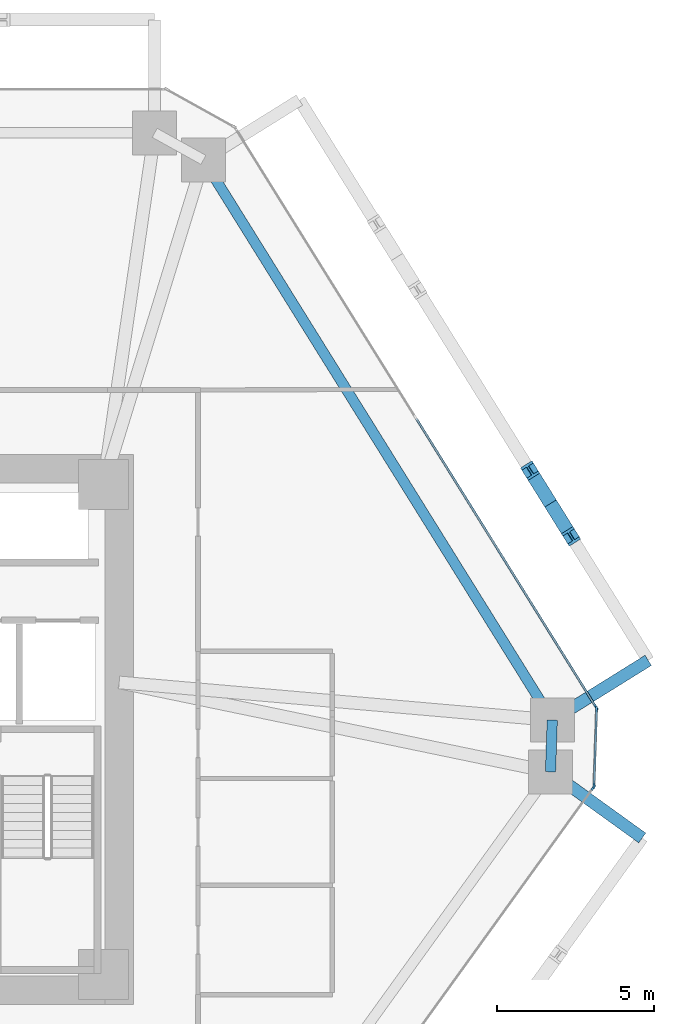
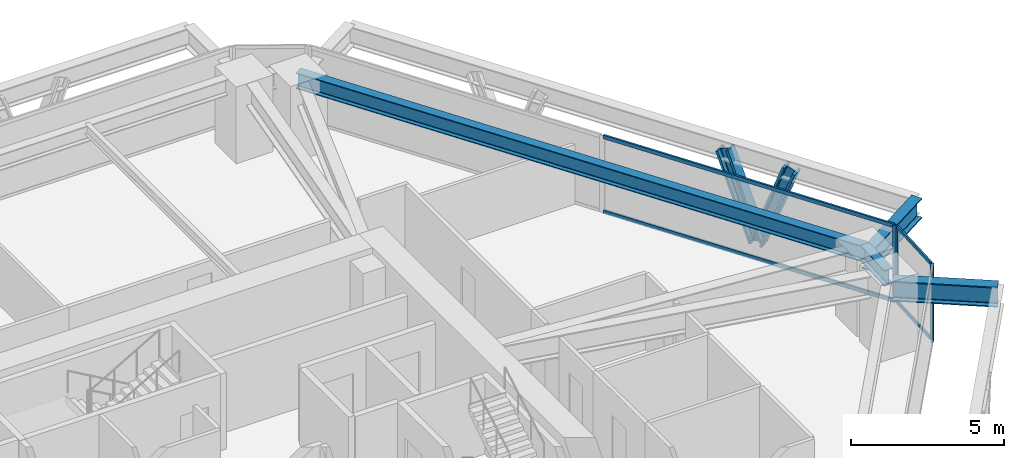
# One storey, part 6 of 14: 10 members, 4 beams, 3 elements without a shape of their own.
"""IFC4 building model written with IfcOpenShell, lengths in metres."""

from ifc_helpers import new_model, si_unit, direction, frame, origin, origin_2d, place, context, subcontext, project, spatial, rectangle, i_section, extrude, source, transform, mapped, material, layer, layer_set, material_profile, profile_set, type_object, type_shapes, element, aggregate, save


model = new_model("IFC4")

# Units and contexts
model_context = context("Model", 3, precision=1e-05, world=origin(), true_north=direction((0.0, 1.0)))
body_context = subcontext(model_context, "Body", "Model", "MODEL_VIEW")
ifc_project = project(units=[si_unit("LENGTHUNIT", "METRE"), si_unit("AREAUNIT", "SQUARE_METRE"), si_unit("VOLUMEUNIT", "CUBIC_METRE"), si_unit("PLANEANGLEUNIT", "RADIAN"), si_unit("MASSUNIT", "GRAM", prefix="KILO")], contexts=[model_context])

# Site, building, storey
site_placement = place(None, origin())
site = spatial("IfcSite", under=ifc_project, at=site_placement, CompositionType="ELEMENT")
building_placement = place(site_placement, origin())
building = spatial("IfcBuilding", under=site, at=building_placement, Name="Durnholm Broadcast Tower", CompositionType="ELEMENT")
storey_placement = place(building_placement, frame((0.0, 0.0, 35.699951171875)))
storey = spatial("IfcBuildingStorey", under=building, at=storey_placement, Name="L07", CompositionType="ELEMENT", Elevation=35.699951171875)

# Beams
ifc_material_1 = material(Name="Steel ASTM A992 Grade 50", Category="steel")
ifc_material_profile_1 = material_profile(ifc_material_1, i_section(OverallWidth=0.3291015625, OverallDepth=0.635009765625, WebThickness=0.017822265625, FlangeThickness=0.031005859375, FilletRadius=0.02783203125, at=origin_2d()), Name="W24X162")
ifc_profile_set_1 = profile_set([ifc_material_profile_1], Name="Steel ASTM A992 Grade 50")
beam_type_1 = type_object("IfcBeamType", Name="STL-SP-W24X162", PredefinedType="SPANDREL", material=ifc_profile_set_1)
shared_shape_1 = source(origin(), body_context, "Body", "SweptSolid", [
    extrude(i_section(OverallWidth=0.3291015625, OverallDepth=0.635009765625, WebThickness=0.017822265625, FlangeThickness=0.031005859375, FilletRadius=0.02783203125, at=origin_2d()), origin(), (0.0, 0.0, 1.0), 21.014404296875),
])
beam_1_placement = place(storey_placement, frame((12.982666015625, 18.138427734375, 2.7275390625), z_axis=(0.528595731543, -0.848873696491, 0.0), x_axis=(0.848873696491, 0.528595731543, 0.0)))
element("IfcBeam", 1, at=beam_1_placement, inside=storey, type_object=beam_type_1, Name="L07 perimeter spandrel girder 07", PredefinedType="SPANDREL", context=body_context, shape_type="MappedRepresentation", body=[
    mapped(shared_shape_1, transform((0.0, 0.0, 0.0), x_axis=(1.0, 0.0, 0.0), y_axis=(0.0, 1.0, 0.0), z_axis=(0.0, 0.0, 1.0), scale=1.0)),
])
shared_shape_2 = source(origin(), body_context, "Body", "SweptSolid", [
    extrude(i_section(OverallWidth=0.3291015625, OverallDepth=0.635009765625, WebThickness=0.017822265625, FlangeThickness=0.031005859375, FilletRadius=0.02783203125, at=origin_2d()), origin(), (0.0, 0.0, 1.0), 1.648193359375),
])
type_shapes(beam_type_1, [shared_shape_1, shared_shape_2])
beam_2_placement = place(storey_placement, frame((24.0908203125, 0.2998046875, 2.7275390625), z_axis=(-0.033921477804, -0.999424501072, 0.0), x_axis=(0.999424501072, -0.033921477804, 0.0)))
element("IfcBeam", 2, at=beam_2_placement, inside=storey, type_object=beam_type_1, Name="L07 perimeter spandrel girder 08", PredefinedType="SPANDREL", context=body_context, shape_type="MappedRepresentation", body=[
    mapped(shared_shape_2, transform((0.0, 0.0, 0.0), x_axis=(1.0, 0.0, 0.0), y_axis=(0.0, 1.0, 0.0), z_axis=(0.0, 0.0, 1.0), scale=1.0)),
])
ifc_material_profile_2 = material_profile(ifc_material_1, i_section(OverallWidth=0.385009765625, OverallDepth=0.802978515625, WebThickness=0.023681640625, FlangeThickness=0.0419921875, FilletRadius=0.032958984375, at=origin_2d()), Name="W30X261")
ifc_profile_set_2 = profile_set([ifc_material_profile_2], Name="Steel ASTM A992 Grade 50")
beam_type_2 = type_object("IfcBeamType", Name="BM-EXO-TIE", PredefinedType="USERDEFINED", material=ifc_profile_set_2)
shared_shape_3 = source(origin(), body_context, "Body", "SweptSolid", [
    extrude(i_section(OverallWidth=0.385009765625, OverallDepth=0.802978515625, WebThickness=0.023681640625, FlangeThickness=0.0419921875, FilletRadius=0.032958984375, at=origin_2d()), origin(), (0.0, 0.0, 1.0), 3.4560546875),
])
beam_3_placement = place(storey_placement, frame((24.212890625, 0.375732421875, 2.30859375), z_axis=(0.848874183218, 0.528594949906, 0.0), x_axis=(-0.528594949906, 0.848874183218, 0.0)))
element("IfcBeam", 3, at=beam_3_placement, inside=storey, type_object=beam_type_2, Name="L07 exoskeleton stand-off tie bracket F3.1", ObjectType="GIRDER", PredefinedType="USERDEFINED", context=body_context, shape_type="MappedRepresentation", body=[
    mapped(shared_shape_3, transform((0.0, 0.0, 0.0), x_axis=(1.0, 0.0, 0.0), y_axis=(0.0, 1.0, 0.0), z_axis=(0.0, 0.0, 1.0), scale=1.0)),
])
shared_shape_4 = source(origin(), body_context, "Body", "SweptSolid", [
    extrude(i_section(OverallWidth=0.385009765625, OverallDepth=0.802978515625, WebThickness=0.023681640625, FlangeThickness=0.0419921875, FilletRadius=0.032958984375, at=origin_2d()), origin(), (0.0, 0.0, 1.0), 3.455810546875),
])
type_shapes(beam_type_2, [shared_shape_3, shared_shape_4])
beam_4_placement = place(storey_placement, frame((24.15185546875, -1.431396484375, 2.30859375), z_axis=(0.811133512552, -0.584861030344, 0.0), x_axis=(0.584861030344, 0.811133512552, 0.0)))
element("IfcBeam", 4, at=beam_4_placement, inside=storey, type_object=beam_type_2, Name="L07 exoskeleton stand-off tie bracket F2.2", ObjectType="GIRDER", PredefinedType="USERDEFINED", context=body_context, shape_type="MappedRepresentation", body=[
    mapped(shared_shape_4, transform((0.0, 0.0, 0.0), x_axis=(1.0, 0.0, 0.0), y_axis=(0.0, 1.0, 0.0), z_axis=(0.0, 0.0, 1.0), scale=1.0)),
])

# Members
ifc_material_2 = material(Name="Steel ASTM A913 Grade 65", Category="steel")
ifc_material_profile_3 = material_profile(ifc_material_2, i_section(OverallWidth=0.43212890625, OverallDepth=0.497802734375, WebThickness=0.0556640625, FlangeThickness=0.0888671875, FilletRadius=0.030517578125, at=origin_2d()), Name="W14X500")
ifc_profile_set_3 = profile_set([ifc_material_profile_3], Name="Steel ASTM A913 Grade 65")
member_type_1 = type_object("IfcMemberType", Name="STL-DG-W14X500", PredefinedType="BRACE", material=ifc_profile_set_3)
shared_shape_5 = source(origin(), body_context, "Body", "SweptSolid", [
    extrude(i_section(OverallWidth=0.43212890625, OverallDepth=0.497802734375, WebThickness=0.0556640625, FlangeThickness=0.0888671875, FilletRadius=0.030517578125, at=origin_2d()), origin(), (0.0, 0.0, 1.0), 3.523193359375),
])
type_shapes(member_type_1, [shared_shape_5])
for number, where, z_axis, x_axis, name in (
    (5, (24.036376953125, 7.197509765625, -0.991455078125), (0.185157304084, -0.297277258428, 0.936665897941), (0.848819847179, 0.528682198523, 0.0), "L07 stand-off diagrid brace F3.D1.1"),
    (6, (24.036376953125, 7.197509765625, -0.991455078125), (-0.185090383068, 0.297281072018, 0.936677913861), (-0.848908635391, -0.528539618911, 0.0), "L07 stand-off diagrid brace F3.D1.2"),
):
    element("IfcMember", number, at=place(storey_placement, frame(where, z_axis=z_axis, x_axis=x_axis)), inside=storey, type_object=member_type_1, Name=name, PredefinedType="BRACE", context=body_context, shape_type="MappedRepresentation", body=[
        mapped(shared_shape_5, transform((0.0, 0.0, 0.0), x_axis=(1.0, 0.0, 0.0), y_axis=(0.0, 1.0, 0.0), z_axis=(0.0, 0.0, 1.0), scale=1.0)),
    ])

# Curtain wall, members
ifc_material_3 = material(Name="Aluminium and Solar Control IGU", Category="aluminium")
ifc_layer_1 = layer(ifc_material_3, 0.1650390625)
ifc_layer_set_1 = layer_set([ifc_layer_1], Name="Aluminium and Solar Control IGU")
curtain_wall_type_1 = type_object("IfcCurtainWallType", Name="CW-SYS-5", PredefinedType="NOTDEFINED", material=ifc_layer_set_1)
curtain_wall_1_placement = place(storey_placement, origin())
curtain_wall_1 = element("IfcCurtainWall", 7, at=curtain_wall_1_placement, inside=storey, type_object=curtain_wall_type_1, Name="L07 curtain wall CW-CORNER CW-L07-CRN-07", PredefinedType="NOTDEFINED")
ifc_material_4 = material(Name="Aluminium 6063-T6", Category="aluminium")
ifc_material_profile_4 = material_profile(ifc_material_4, rectangle(XDim=0.06494140625, YDim=0.1650390625, at=origin_2d()), Name="CWM65X165")
ifc_profile_set_4 = profile_set([ifc_material_profile_4], Name="Aluminium 6063-T6")
member_type_2 = type_object("IfcMemberType", Name="CW-SYS-5-MUL", PredefinedType="MULLION", material=ifc_profile_set_4)
shared_shape_6 = source(origin(), body_context, "Body", "SweptSolid", [
    extrude(rectangle(XDim=0.06494140625, YDim=0.1650390625, at=origin_2d()), origin(), (0.0, 0.0, 1.0), 3.06005859375),
])
type_shapes(member_type_2, [shared_shape_6])
member_1_placement = place(storey_placement, frame((25.50341796875, 0.6455078125, 0.0), z_axis=(0.0, 0.0, 1.0), x_axis=(0.999427277772, -0.033839569233, 0.0)))
member_1 = element("IfcMember", 8, at=member_1_placement, type_object=member_type_2, Name="CW-CORNER mullion 1", PredefinedType="MULLION", context=body_context, shape_type="MappedRepresentation", body=[
    mapped(shared_shape_6, transform((0.0, 0.0, 0.0), x_axis=(1.0, 0.0, 0.0), y_axis=(0.0, 1.0, 0.0), z_axis=(0.0, 0.0, 1.0), scale=1.0)),
])
member_2_placement = place(storey_placement, frame((25.4208984375, -1.7880859375, 0.0), z_axis=(0.0, 0.0, 1.0), x_axis=(0.999427277772, -0.033839569233, 0.0)))
member_2 = element("IfcMember", 9, at=member_2_placement, type_object=member_type_2, Name="CW-CORNER mullion 2", PredefinedType="MULLION", context=body_context, shape_type="MappedRepresentation", body=[
    mapped(shared_shape_6, transform((0.0, 0.0, 0.0), x_axis=(1.0, 0.0, 0.0), y_axis=(0.0, 1.0, 0.0), z_axis=(0.0, 0.0, 1.0), scale=1.0)),
])
ifc_material_profile_5 = material_profile(ifc_material_4, rectangle(XDim=0.06494140625, YDim=0.1298828125, at=origin_2d()), Name="CWT65X130")
ifc_profile_set_5 = profile_set([ifc_material_profile_5], Name="Aluminium 6063-T6")
member_type_3 = type_object("IfcMemberType", Name="CW-SYS-5-TRN", PredefinedType="USERDEFINED", material=ifc_profile_set_5)
shared_shape_7 = source(origin(), body_context, "Body", "SweptSolid", [
    extrude(rectangle(XDim=0.06494140625, YDim=0.1298828125, at=origin_2d()), origin(), (0.0, 0.0, 1.0), 2.3701171875),
])
type_shapes(member_type_3, [shared_shape_7])
member_3_placement = place(storey_placement, frame((25.502197265625, 0.613037109375, 0.032470703125), z_axis=(-0.033788158898, -0.999429017148, 0.0), x_axis=(0.999429017148, -0.033788158898, 0.0)))
member_3 = element("IfcMember", 10, at=member_3_placement, type_object=member_type_3, Name="CW-CORNER transom 1.1", ObjectType="TRANSOM", PredefinedType="USERDEFINED", context=body_context, shape_type="MappedRepresentation", body=[
    mapped(shared_shape_7, transform((0.0, 0.0, 0.0), x_axis=(1.0, 0.0, 0.0), y_axis=(0.0, 1.0, 0.0), z_axis=(0.0, 0.0, 1.0), scale=1.0)),
])
member_4_placement = place(storey_placement, frame((25.502197265625, 0.613037109375, 3.027587890625), z_axis=(-0.033788158898, -0.999429017148, 0.0), x_axis=(0.999429017148, -0.033788158898, 0.0)))
member_4 = element("IfcMember", 11, at=member_4_placement, type_object=member_type_3, Name="CW-CORNER transom 1.2", ObjectType="TRANSOM", PredefinedType="USERDEFINED", context=body_context, shape_type="MappedRepresentation", body=[
    mapped(shared_shape_7, transform((0.0, 0.0, 0.0), x_axis=(1.0, 0.0, 0.0), y_axis=(0.0, 1.0, 0.0), z_axis=(0.0, 0.0, 1.0), scale=1.0)),
])
aggregate(curtain_wall_1, [member_1, member_2, member_3, member_4])

# Curtain wall, member
ifc_layer_2 = layer(ifc_material_3, 0.18994140625)
ifc_layer_set_2 = layer_set([ifc_layer_2], Name="Aluminium and Solar Control IGU")
curtain_wall_type_2 = type_object("IfcCurtainWallType", Name="CW-SYS-3", PredefinedType="NOTDEFINED", material=ifc_layer_set_2)
curtain_wall_2_placement = place(storey_placement, origin())
curtain_wall_2 = element("IfcCurtainWall", 12, at=curtain_wall_2_placement, inside=storey, type_object=curtain_wall_type_2, Name="L07 curtain wall CW-Z12-VIS CW-L07-F06", PredefinedType="NOTDEFINED")
ifc_material_profile_6 = material_profile(ifc_material_4, rectangle(XDim=0.070068359375, YDim=0.18994140625, at=origin_2d()), Name="CWM70X190")
ifc_profile_set_6 = profile_set([ifc_material_profile_6], Name="Aluminium 6063-T6")
member_type_4 = type_object("IfcMemberType", Name="CW-SYS-3-MUL", PredefinedType="MULLION", material=ifc_profile_set_6)
shared_shape_8 = source(origin(), body_context, "Body", "SweptSolid", [
    extrude(rectangle(XDim=0.070068359375, YDim=0.18994140625, at=origin_2d()), origin(), (0.0, 0.0, 1.0), 3.06005859375),
])
type_shapes(member_type_4, [shared_shape_8])
member_5_placement = place(storey_placement, frame((25.48583984375, 0.707763671875, 0.0), z_axis=(0.0, 0.0, 1.0), x_axis=(0.848875785503, 0.528592376777, 0.0)))
member_5 = element("IfcMember", 13, at=member_5_placement, type_object=member_type_4, Name="CW-Z12-VIS mullion 3", PredefinedType="MULLION", context=body_context, shape_type="MappedRepresentation", body=[
    mapped(shared_shape_8, transform((0.0, 0.0, 0.0), x_axis=(1.0, 0.0, 0.0), y_axis=(0.0, 1.0, 0.0), z_axis=(0.0, 0.0, 1.0), scale=1.0)),
])

curtain_wall_3_placement = place(storey_placement, origin())
curtain_wall_3 = element("IfcCurtainWall", 14, at=curtain_wall_3_placement, inside=storey, type_object=curtain_wall_type_2, Name="L07 curtain wall CW-Z12-VIS CW-L07-F08", PredefinedType="NOTDEFINED")
member_6_placement = place(storey_placement, frame((25.3994140625, -1.848876953125, 0.0), z_axis=(0.0, 0.0, 1.0), x_axis=(0.81116057493, -0.584823496176, 0.0)))
member_6 = element("IfcMember", 15, at=member_6_placement, type_object=member_type_4, Name="CW-Z12-VIS mullion 1", PredefinedType="MULLION", context=body_context, shape_type="MappedRepresentation", body=[
    mapped(shared_shape_8, transform((0.0, 0.0, 0.0), x_axis=(1.0, 0.0, 0.0), y_axis=(0.0, 1.0, 0.0), z_axis=(0.0, 0.0, 1.0), scale=1.0)),
])
aggregate(curtain_wall_3, [member_6])

# Member
ifc_material_profile_7 = material_profile(ifc_material_4, rectangle(XDim=0.070068359375, YDim=0.14990234375, at=origin_2d()), Name="CWT70X150")
ifc_profile_set_7 = profile_set([ifc_material_profile_7], Name="Aluminium 6063-T6")
member_type_5 = type_object("IfcMemberType", Name="CW-SYS-3-TRN", PredefinedType="USERDEFINED", material=ifc_profile_set_7)
shared_shape_9 = source(origin(), body_context, "Body", "SweptSolid", [
    extrude(rectangle(XDim=0.070068359375, YDim=0.14990234375, at=origin_2d()), origin(), (0.0, 0.0, 1.0), 10.796630859375),
])
type_shapes(member_type_5, [shared_shape_9])
member_7_placement = place(storey_placement, frame((19.760498046875, 9.902587890625, 0.03515625), z_axis=(0.528575362968, -0.848886379714, 0.0), x_axis=(0.848886379714, 0.528575362968, 0.0)))
member_7 = element("IfcMember", 16, at=member_7_placement, type_object=member_type_5, Name="CW-Z12-VIS transom 2.1", ObjectType="TRANSOM", PredefinedType="USERDEFINED", context=body_context, shape_type="MappedRepresentation", body=[
    mapped(shared_shape_9, transform((0.0, 0.0, 0.0), x_axis=(1.0, 0.0, 0.0), y_axis=(0.0, 1.0, 0.0), z_axis=(0.0, 0.0, 1.0), scale=1.0)),
])

member_8_placement = place(storey_placement, frame((19.760498046875, 9.902587890625, 3.025146484375), z_axis=(0.528575362968, -0.848886379714, 0.0), x_axis=(0.848886379714, 0.528575362968, 0.0)))
member_8 = element("IfcMember", 17, at=member_8_placement, type_object=member_type_5, Name="CW-Z12-VIS transom 2.2", ObjectType="TRANSOM", PredefinedType="USERDEFINED", context=body_context, shape_type="MappedRepresentation", body=[
    mapped(shared_shape_9, transform((0.0, 0.0, 0.0), x_axis=(1.0, 0.0, 0.0), y_axis=(0.0, 1.0, 0.0), z_axis=(0.0, 0.0, 1.0), scale=1.0)),
])

aggregate(curtain_wall_2, [member_5, member_7, member_8])

save(model, "model.ifc")
